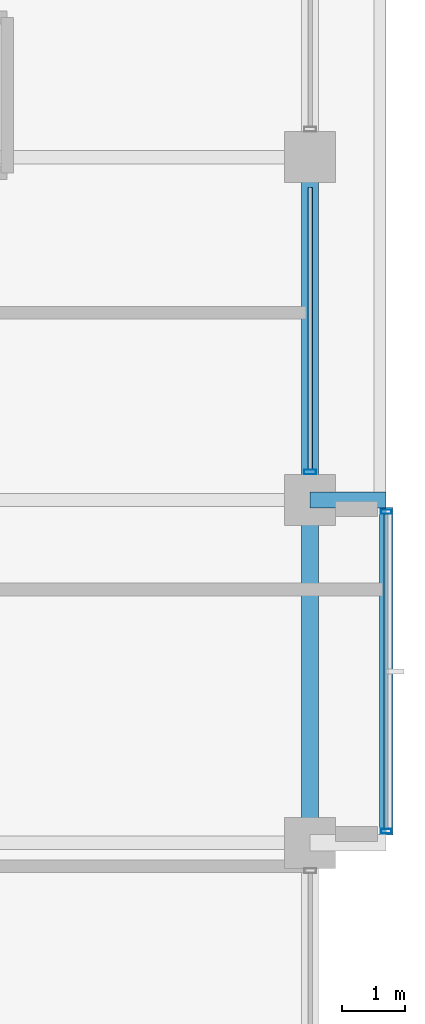
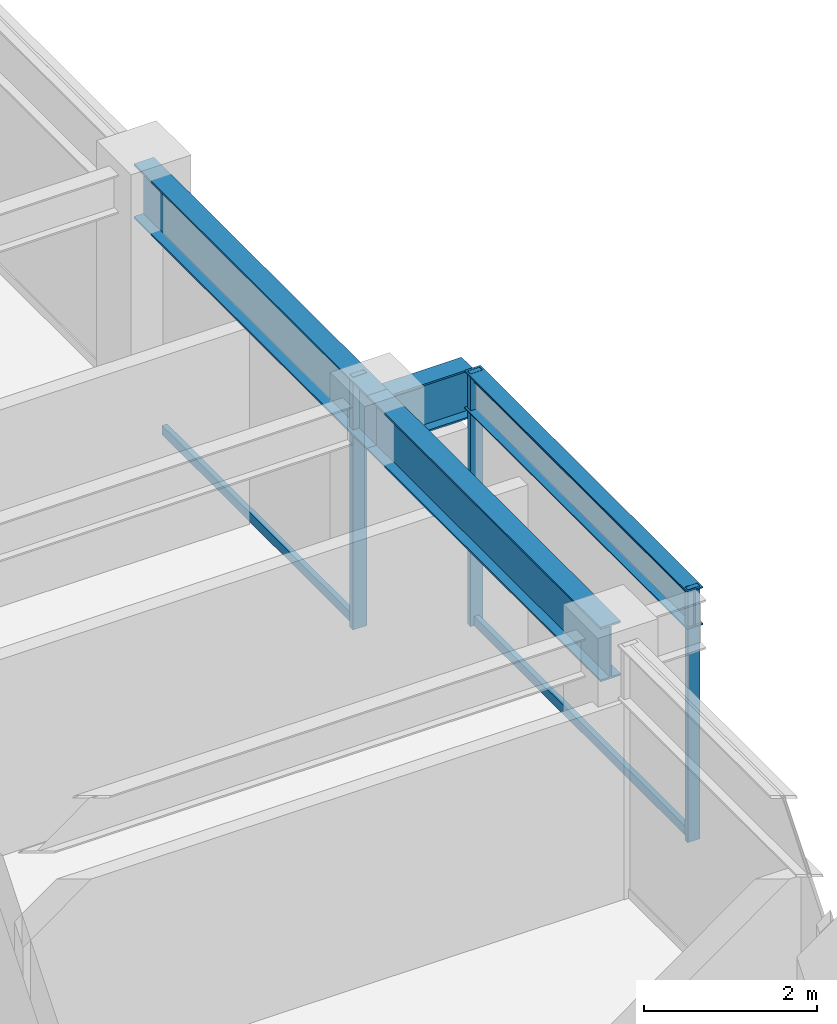
# One storey, part 12 of 28: 6 members, 4 beams, 2 elements without a shape of their own.
"""IFC4 building model written with IfcOpenShell, lengths in metres."""

from ifc_helpers import new_model, si_unit, direction, frame, origin, origin_2d, place, context, subcontext, project, spatial, hollow_rectangle, i_section, extrude, material, layer, layer_set, material_profile, profile_set, type_object, element, aggregate, save


model = new_model("IFC4")

# Units and contexts
model_context = context("Model", 3, precision=1e-05, world=origin(), true_north=direction((0.0, 1.0)))
body_context = subcontext(model_context, "Body", "Model", "MODEL_VIEW")
ifc_project = project(units=[si_unit("LENGTHUNIT", "METRE"), si_unit("AREAUNIT", "SQUARE_METRE"), si_unit("VOLUMEUNIT", "CUBIC_METRE"), si_unit("PLANEANGLEUNIT", "RADIAN"), si_unit("MASSUNIT", "GRAM", prefix="KILO")], contexts=[model_context])

# Site, building, storey
site_placement = place(None, origin())
site = spatial("IfcSite", under=ifc_project, at=site_placement, CompositionType="ELEMENT")
building_placement = place(site_placement, origin())
building = spatial("IfcBuilding", under=site, at=building_placement, Name="Surkhivell Harbour Commons", CompositionType="ELEMENT")
storey_placement = place(building_placement, frame((0.0, 0.0, 238.5)))
storey = spatial("IfcBuildingStorey", under=building, at=storey_placement, Name="L62", CompositionType="ELEMENT", Elevation=238.5)

# Beams
ifc_material_1 = material(Name="Steel S460", Category="steel")
ifc_material_profile_1 = material_profile(ifc_material_1, i_section(OverallWidth=0.256103515625, OverallDepth=0.693115234375, WebThickness=0.014404296875, FlangeThickness=0.023681640625, at=origin_2d()), Name="UB686x254x170")
ifc_profile_set_1 = profile_set([ifc_material_profile_1], Name="Steel S460")
beam_type_1 = type_object("IfcBeamType", Name="BM-CNT-686", PredefinedType="BEAM", material=ifc_profile_set_1)
beam_1_placement = place(storey_placement, frame((21.60009765625, 5.39990234375, 3.223388671875), z_axis=(1.0, 0.0, 0.0), x_axis=(0.0, 1.0, 0.0)))
element("IfcBeam", 1, at=beam_1_placement, inside=storey, type_object=beam_type_1, Name="L62 Box Cantilever Outrigger (21.6,5.4)", PredefinedType="BEAM", context=body_context, shape_type="SweptSolid", body=[
    extrude(i_section(OverallWidth=0.256103515625, OverallDepth=0.693115234375, WebThickness=0.014404296875, FlangeThickness=0.023681640625, at=origin_2d()), origin(), (0.0, 0.0, 1.0), 1.199951171875),
])
ifc_material_2 = material(Name="Steel S355", Category="steel")
ifc_material_profile_2 = material_profile(ifc_material_2, i_section(OverallWidth=0.2099609375, OverallDepth=0.537109375, WebThickness=0.0107421875, FlangeThickness=0.017333984375, at=origin_2d()), Name="UB533x210x101")
ifc_profile_set_2 = profile_set([ifc_material_profile_2], Name="Steel S355")
beam_type_2 = type_object("IfcBeamType", Name="BM-GRD-533B", PredefinedType="BEAM", material=ifc_profile_set_2)
beam_2_placement = place(storey_placement, frame((22.800048828125, 0.1220703125, 3.301513671875), z_axis=(0.0, 1.0, 0.0), x_axis=(-1.0, 0.0, 0.0)))
element("IfcBeam", 2, at=beam_2_placement, inside=storey, type_object=beam_type_2, Name="L62 Box Rim Spandrel (22.8,0.0)", PredefinedType="BEAM", context=body_context, shape_type="SweptSolid", body=[
    extrude(i_section(OverallWidth=0.2099609375, OverallDepth=0.537109375, WebThickness=0.0107421875, FlangeThickness=0.017333984375, at=origin_2d()), origin(), (0.0, 0.0, 1.0), 5.156005859375),
])
ifc_material_profile_3 = material_profile(ifc_material_2, i_section(OverallWidth=0.26806640625, OverallDepth=0.77001953125, WebThickness=0.015625, FlangeThickness=0.025390625, at=origin_2d()), Name="UB762x267x197")
ifc_profile_set_3 = profile_set([ifc_material_profile_3], Name="Steel S355")
beam_type_3 = type_object("IfcBeamType", Name="BM-SPN-762", PredefinedType="SPANDREL", material=ifc_profile_set_3)
beam_3_placement = place(storey_placement, frame((21.60009765625, 0.0, 3.18505859375), z_axis=(0.0, 1.0, 0.0), x_axis=(-1.0, 0.0, 0.0)))
element("IfcBeam", 3, at=beam_3_placement, inside=storey, type_object=beam_type_3, Name="L62 Tube Spandrel (21.6,0.0)", PredefinedType="SPANDREL", context=body_context, shape_type="SweptSolid", body=[
    extrude(i_section(OverallWidth=0.26806640625, OverallDepth=0.77001953125, WebThickness=0.015625, FlangeThickness=0.025390625, at=origin_2d()), origin(), (0.0, 0.0, 1.0), 5.39990234375),
])
beam_4_placement = place(storey_placement, frame((21.60009765625, 5.39990234375, 3.18505859375), z_axis=(0.0, 1.0, 0.0), x_axis=(-1.0, 0.0, 0.0)))
element("IfcBeam", 4, at=beam_4_placement, inside=storey, type_object=beam_type_3, Name="L62 Tube Spandrel (21.6,5.4)", PredefinedType="SPANDREL", context=body_context, shape_type="SweptSolid", body=[
    extrude(i_section(OverallWidth=0.26806640625, OverallDepth=0.77001953125, WebThickness=0.015625, FlangeThickness=0.025390625, at=origin_2d()), origin(), (0.0, 0.0, 1.0), 5.400146484375),
])

# Curtain wall, members
ifc_material_3 = material(Name="Anodised pale-metal aluminium and insulated glazing", Category="aluminium")
ifc_layer_1 = layer(ifc_material_3, 0.1650390625)
ifc_layer_set_1 = layer_set([ifc_layer_1], Name="Anodised pale-metal aluminium and insulated glazing")
curtain_wall_type_1 = type_object("IfcCurtainWallType", Name="CW-SYS-BOX", PredefinedType="NOTDEFINED", material=ifc_layer_set_1)
curtain_wall_1_placement = place(storey_placement, origin())
curtain_wall_1 = element("IfcCurtainWall", 5, at=curtain_wall_1_placement, inside=storey, type_object=curtain_wall_type_1, Name="L62 Curtain Wall CW-L62-BOX01", PredefinedType="NOTDEFINED")
ifc_material_4 = material(Name="Champagne anodised aluminium alloy 6063-T6", Category="aluminium")
ifc_material_profile_4 = material_profile(ifc_material_4, hollow_rectangle(XDim=0.070068359375, YDim=0.1650390625, WallThickness=0.00341796875, at=origin_2d()), Name="ALU-MULL-70x165")
ifc_profile_set_4 = profile_set([ifc_material_profile_4], Name="Champagne anodised aluminium alloy 6063-T6")
member_type_1 = type_object("IfcMemberType", Name="CWM-165", PredefinedType="MULLION", material=ifc_profile_set_4)
member_1_placement = place(storey_placement, frame((22.800048828125, 0.18505859375, 0.0), z_axis=(0.0, 0.0, 1.0), x_axis=(0.0, 1.0, 0.0)))
member_1 = element("IfcMember", 6, at=member_1_placement, type_object=member_type_1, Name="CW-BOX mullion 1", PredefinedType="MULLION", context=body_context, shape_type="SweptSolid", body=[
    extrude(hollow_rectangle(XDim=0.070068359375, YDim=0.1650390625, WallThickness=0.00341796875, at=origin_2d()), origin(), (0.0, 0.0, 1.0), 3.570068359375),
])
member_2_placement = place(storey_placement, frame((22.800048828125, 5.215087890625, 0.0), z_axis=(0.0, 0.0, 1.0), x_axis=(0.0, 1.0, 0.0)))
member_2 = element("IfcMember", 7, at=member_2_placement, type_object=member_type_1, Name="CW-BOX mullion 2", PredefinedType="MULLION", context=body_context, shape_type="SweptSolid", body=[
    extrude(hollow_rectangle(XDim=0.070068359375, YDim=0.1650390625, WallThickness=0.00341796875, at=origin_2d()), origin(), (0.0, 0.0, 1.0), 3.570068359375),
])

# Curtain wall, member
ifc_layer_2 = layer(ifc_material_3, 0.18994140625)
ifc_layer_set_2 = layer_set([ifc_layer_2], Name="Anodised pale-metal aluminium and insulated glazing")
curtain_wall_type_2 = type_object("IfcCurtainWallType", Name="CW-SYS-Z3", PredefinedType="NOTDEFINED", material=ifc_layer_set_2)
curtain_wall_2_placement = place(storey_placement, origin())
curtain_wall_2 = element("IfcCurtainWall", 8, at=curtain_wall_2_placement, inside=storey, type_object=curtain_wall_type_2, Name="L62 Curtain Wall CW-L62-E02R2", PredefinedType="NOTDEFINED")
ifc_material_5 = material(Name="Anodised pale-metal aluminium alloy 6063-T6", Category="aluminium")
ifc_material_profile_5 = material_profile(ifc_material_5, hollow_rectangle(XDim=0.074951171875, YDim=0.18994140625, WallThickness=0.00390625, at=origin_2d()), Name="ALU-MULL-75x190")
ifc_profile_set_5 = profile_set([ifc_material_profile_5], Name="Anodised pale-metal aluminium alloy 6063-T6")
member_type_2 = type_object("IfcMemberType", Name="CWM-190", PredefinedType="MULLION", material=ifc_profile_set_5)
member_3_placement = place(storey_placement, frame((21.60009765625, 5.839599609375, 0.0), z_axis=(0.0, 0.0, 1.0), x_axis=(0.0, 1.0, 0.0)))
member_3 = element("IfcMember", 9, at=member_3_placement, type_object=member_type_2, Name="CW-Z3 mullion 1", PredefinedType="MULLION", context=body_context, shape_type="SweptSolid", body=[
    extrude(hollow_rectangle(XDim=0.074951171875, YDim=0.18994140625, WallThickness=0.00390625, at=origin_2d()), origin(), (0.0, 0.0, 1.0), 3.570068359375),
])

# Member
ifc_material_profile_6 = material_profile(ifc_material_4, hollow_rectangle(XDim=0.070068359375, YDim=0.1298828125, WallThickness=0.00341796875, at=origin_2d()), Name="ALU-TRAN-70x130")
ifc_profile_set_6 = profile_set([ifc_material_profile_6], Name="Champagne anodised aluminium alloy 6063-T6")
member_type_3 = type_object("IfcMemberType", Name="CWT-130", PredefinedType="USERDEFINED", material=ifc_profile_set_6)
member_4_placement = place(storey_placement, frame((22.800048828125, 0.219970703125, 0.06494140625), z_axis=(0.0, 1.0, 0.0), x_axis=(-1.0, 0.0, 0.0)))
member_4 = element("IfcMember", 10, at=member_4_placement, type_object=member_type_3, Name="CW-BOX transom 1.1", ObjectType="TRANSOM", PredefinedType="USERDEFINED", context=body_context, shape_type="SweptSolid", body=[
    extrude(hollow_rectangle(XDim=0.070068359375, YDim=0.1298828125, WallThickness=0.00341796875, at=origin_2d()), origin(), (0.0, 0.0, 1.0), 4.9599609375),
])

member_5_placement = place(storey_placement, frame((22.800048828125, 0.219970703125, 3.5048828125), z_axis=(0.0, 1.0, 0.0), x_axis=(-1.0, 0.0, 0.0)))
member_5 = element("IfcMember", 11, at=member_5_placement, type_object=member_type_3, Name="CW-BOX transom 1.2", ObjectType="TRANSOM", PredefinedType="USERDEFINED", context=body_context, shape_type="SweptSolid", body=[
    extrude(hollow_rectangle(XDim=0.070068359375, YDim=0.1298828125, WallThickness=0.00341796875, at=origin_2d()), origin(), (0.0, 0.0, 1.0), 4.9599609375),
])

aggregate(curtain_wall_1, [member_1, member_2, member_4, member_5])

member_6_placement = place(storey_placement, frame((21.60009765625, 5.876953125, 0.06494140625), z_axis=(0.0, 1.0, 0.0), x_axis=(-1.0, 0.0, 0.0)))
member_6 = element("IfcMember", 12, at=member_6_placement, type_object=member_type_3, Name="CW-Z3 transom 1.1", ObjectType="TRANSOM", PredefinedType="USERDEFINED", context=body_context, shape_type="SweptSolid", body=[
    extrude(hollow_rectangle(XDim=0.070068359375, YDim=0.1298828125, WallThickness=0.00341796875, at=origin_2d()), origin(), (0.0, 0.0, 1.0), 4.446044921875),
])

aggregate(curtain_wall_2, [member_3, member_6])

save(model, "model.ifc")
